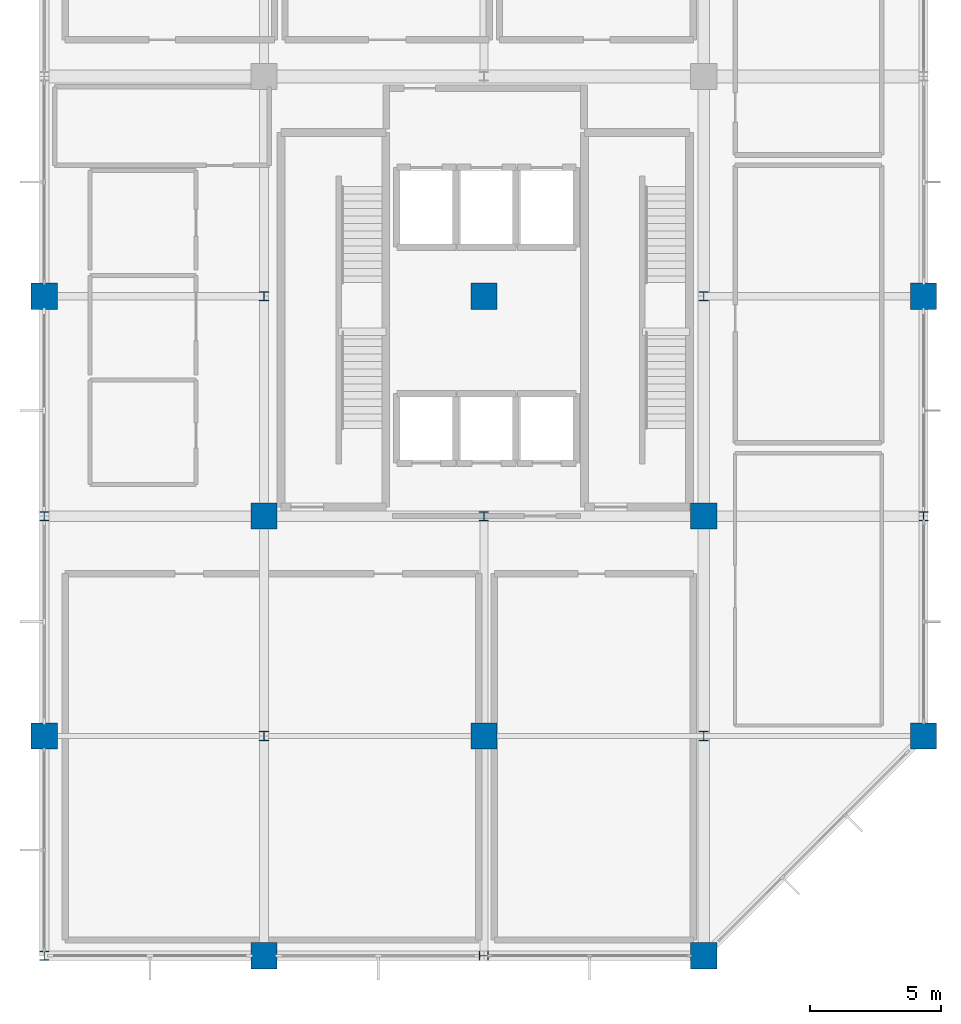
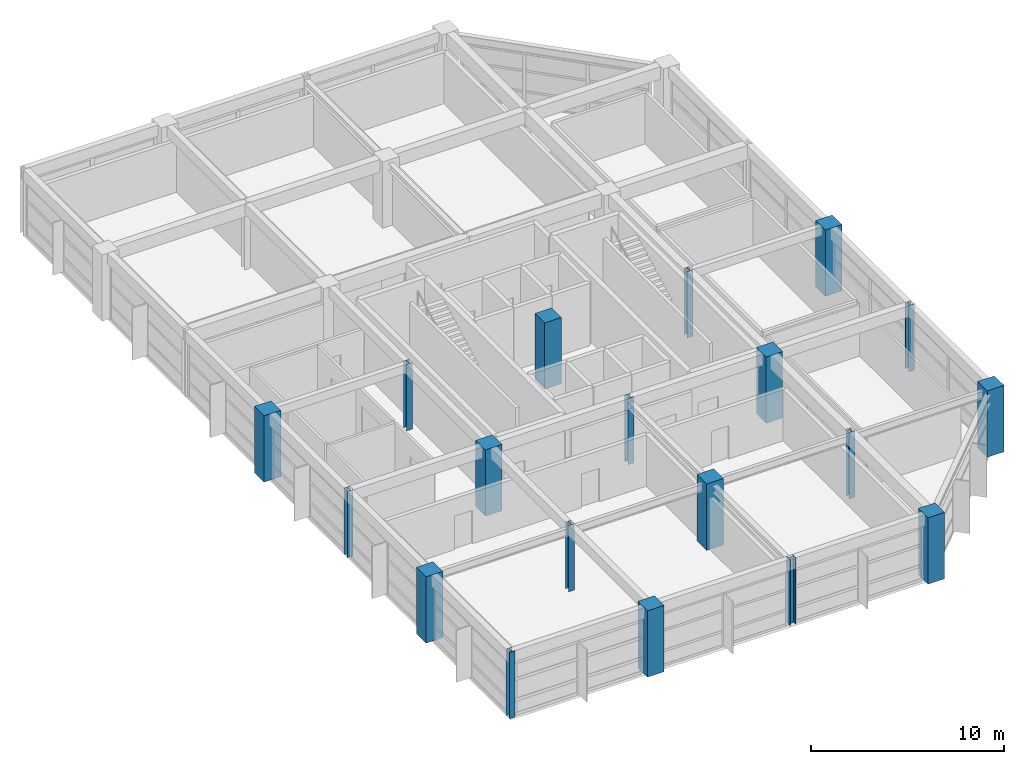
# One storey, part 1 of 16: 19 columns.
"""IFC4 building model written with IfcOpenShell, lengths in metres."""

import ifcopenshell
import ifcopenshell.guid

model = None  # the IFC model being written
_history = None  # IfcOwnerHistory: only IFC2X3 demands one
_inside = {}  # id of a spatial element -> (the spatial element, [elements in it])
_under = {}  # id of a project, library or spatial element -> (it, [spatial elements below it])
_declared = {}  # id of a project -> (the project, [libraries it declares])
_typed = {}  # id of a type object -> (the type object, [elements of that type])
_made_of = {}  # id of a material, layer set ... -> (it, [elements and type objects made of it])


def new_model(schema):
    """Start an empty IFC model of exactly this schema.

    Asked for "IFC4X3", IfcOpenShell would pick the latest addendum, in which some entities
    have other attributes; the version numbers below select the first issue.
    IFC2X3 requires an IfcOwnerHistory on every rooted entity: one is made here for all.
    """
    global model, _history
    if schema == "IFC4X3":
        model = ifcopenshell.file(schema_version=(4, 3, 0, 0))
    else:
        model = ifcopenshell.file(schema=schema)
    _inside.clear()
    _under.clear()
    _declared.clear()
    _typed.clear()
    _made_of.clear()
    _history = None
    if model.schema == "IFC2X3":
        org = make("IfcOrganization", Name="unknown")
        user = make(
            "IfcPersonAndOrganization",
            ThePerson=make("IfcPerson", FamilyName="unknown"),
            TheOrganization=org,
        )
        app = make(
            "IfcApplication",
            ApplicationDeveloper=org,
            Version="unknown",
            ApplicationFullName="unknown",
            ApplicationIdentifier="unknown",
        )
        _history = make(
            "IfcOwnerHistory",
            OwningUser=user,
            OwningApplication=app,
            ChangeAction="ADDED",
            CreationDate=0,
        )
    return model


def make(cls, **values):
    """One entity of the class cls with the attributes given. An attribute that is None is left unset."""
    return model.create_entity(
        cls, **{name: value for name, value in values.items() if value is not None}
    )


def rooted(cls, **values):
    """An entity with a GlobalId (a new one), such as an element, a storey or a relation."""
    return make(cls, GlobalId=ifcopenshell.guid.new(), OwnerHistory=_history, **values)


def si_unit(unit_type, name, prefix=None):
    """IfcSIUnit, for example si_unit("LENGTHUNIT", "METRE", prefix="MILLI")."""
    return make("IfcSIUnit", UnitType=unit_type, Prefix=prefix, Name=name)


def assignment(units):
    """IfcUnitAssignment: the units of a project."""
    return None if units is None else make("IfcUnitAssignment", Units=units)


def point(xyz):
    """IfcCartesianPoint."""
    return None if xyz is None else make("IfcCartesianPoint", Coordinates=xyz)


def direction(xyz):
    """IfcDirection."""
    return None if xyz is None else make("IfcDirection", DirectionRatios=xyz)


def frame(location, z_axis=None, x_axis=None):
    """IfcAxis2Placement3D, a coordinate frame: its origin and axes. An axis left out is left unset."""
    return make(
        "IfcAxis2Placement3D",
        Location=point(location),
        Axis=direction(z_axis),
        RefDirection=direction(x_axis),
    )


def frame_2d(location, x_axis=None):
    """IfcAxis2Placement2D, a coordinate frame in the plane: its origin and x axis."""
    return make(
        "IfcAxis2Placement2D", Location=point(location), RefDirection=direction(x_axis)
    )


def origin():
    """The frame at (0, 0, 0) with its axes left unset."""
    return frame((0.0, 0.0, 0.0))


def origin_2d():
    """The frame at (0, 0) in the plane with its x axis left unset."""
    return frame_2d((0.0, 0.0))


def place(relative_to, where):
    """IfcLocalPlacement: puts the frame where relative to a parent placement (None: the world)."""
    return make(
        "IfcLocalPlacement", PlacementRelTo=relative_to, RelativePlacement=where
    )


def context(
    kind, dimensions, precision=None, world=None, true_north=None, identifier=None
):
    """IfcGeometricRepresentationContext, for example the 3D "Model" context."""
    return make(
        "IfcGeometricRepresentationContext",
        ContextIdentifier=identifier,
        ContextType=kind,
        CoordinateSpaceDimension=dimensions,
        Precision=precision,
        WorldCoordinateSystem=world,
        TrueNorth=true_north,
    )


def subcontext(parent, identifier, kind, view, scale=None):
    """IfcGeometricRepresentationSubContext, for example "Body" below "Model"."""
    return make(
        "IfcGeometricRepresentationSubContext",
        ContextIdentifier=identifier,
        ContextType=kind,
        ParentContext=parent,
        TargetScale=scale,
        TargetView=view,
    )


def project(units=None, contexts=None):
    """IfcProject with its units and contexts."""
    return rooted(
        "IfcProject",
        Name="project",
        RepresentationContexts=contexts,
        UnitsInContext=assignment(units),
    )


def spatial(cls, under=None, at=None, **own):
    """A site, building, storey or space (cls), placed at a placement, below another one or the project."""
    s = rooted(cls, ObjectPlacement=at, **own)
    if under is not None:
        _under.setdefault(under.id(), (under, []))[1].append(s)
    return s


def profile(cls, at=None, kind="AREA", **sizes):
    """A parametric profile (cls). Its sizes go by their IFC names, for example OverallWidth=200.0."""
    return make(cls, ProfileType=kind, Position=at, **sizes)


def rectangle(**sizes):
    """IfcRectangleProfileDef."""
    return profile("IfcRectangleProfileDef", **sizes)


def i_section(**sizes):
    """IfcIShapeProfileDef."""
    return profile("IfcIShapeProfileDef", **sizes)


def extrude(swept, where, along, depth):
    """IfcExtrudedAreaSolid: the profile swept, set in the frame where, extruded along a direction by depth."""
    return make(
        "IfcExtrudedAreaSolid",
        SweptArea=swept,
        Position=where,
        ExtrudedDirection=direction(along),
        Depth=depth,
    )


def shape(context_of_items, identifier, shape_type, items):
    """IfcShapeRepresentation: the items that make up one representation, for example the "Body"."""
    return make(
        "IfcShapeRepresentation",
        ContextOfItems=context_of_items,
        RepresentationIdentifier=identifier,
        RepresentationType=shape_type,
        Items=items,
    )


def material(Name=None, Category=None):
    """IfcMaterial."""
    return make("IfcMaterial", Name=Name, Category=Category)


def material_profile(
    of_material, cross_section, Name=None, Category=None, Priority=None
):
    """IfcMaterialProfile: a cross section and its material."""
    return make(
        "IfcMaterialProfile",
        Name=Name,
        Material=of_material,
        Profile=cross_section,
        Priority=Priority,
        Category=Category,
    )


def profile_set(profiles, Name=None, composite=None):
    """IfcMaterialProfileSet."""
    return make(
        "IfcMaterialProfileSet",
        Name=Name,
        MaterialProfiles=profiles,
        CompositeProfile=composite,
    )


def made_of(thing, what):
    """Note that an element or type object is made of a material, layer set ...; save() writes the relation."""
    if what is not None:
        _made_of.setdefault(what.id(), (what, []))[1].append(thing)
    return thing


def type_object(cls, material=None, **own):
    """A type object (cls), such as IfcWallType, which elements share."""
    return made_of(rooted(cls, **own), material)


def element(
    cls,
    number,
    at=None,
    inside=None,
    cuts=None,
    type_object=None,
    material=None,
    context=None,
    identifier="Body",
    shape_type=None,
    held_by="IfcProductDefinitionShape",
    body=None,
    shapes=None,
    **own,
):
    """One element of the class cls, such as IfcWall. Its Tag is "e" and its number.

    at: its placement. inside: the storey or other place that contains it. cuts: it is an
    opening in that element (IfcRelVoidsElement). A single representation is given by context,
    identifier, shape_type and body (its items); several are given by shapes. held_by: the class
    of the entity that holds the representations. save() writes the other relations.
    """
    e = rooted(cls, Tag="e%d" % number, ObjectPlacement=at, **own)
    if body is not None:
        shapes = [shape(context, identifier, shape_type, body)]
    if shapes is not None:
        e.Representation = make(held_by, Representations=shapes)
    if inside is not None:
        _inside.setdefault(inside.id(), (inside, []))[1].append(e)
    if cuts is not None:
        rooted(
            "IfcRelVoidsElement", RelatingBuildingElement=cuts, RelatedOpeningElement=e
        )
    if type_object is not None:
        _typed.setdefault(type_object.id(), (type_object, []))[1].append(e)
    return made_of(e, material)


def aggregate(whole, parts):
    """IfcRelAggregates: a whole, such as a stair, and the parts it consists of."""
    return rooted("IfcRelAggregates", RelatingObject=whole, RelatedObjects=parts)


def save(model, path):
    """Write the relations noted so far, then the file.

    IfcRelAggregates (storeys below a building ...), IfcRelContainedInSpatialStructure (elements
    in a storey), IfcRelDefinesByType, IfcRelAssociatesMaterial and IfcRelDeclares: one each for
    every whole, place, type object, material and project.
    """
    for whole, parts in _under.values():
        aggregate(whole, parts)
    for where, things in _inside.values():
        rooted(
            "IfcRelContainedInSpatialStructure",
            RelatedElements=things,
            RelatingStructure=where,
        )
    for kind, things in _typed.values():
        rooted("IfcRelDefinesByType", RelatedObjects=things, RelatingType=kind)
    for what, things in _made_of.values():
        rooted("IfcRelAssociatesMaterial", RelatedObjects=things, RelatingMaterial=what)
    for by, libraries in _declared.values():
        rooted("IfcRelDeclares", RelatingContext=by, RelatedDefinitions=libraries)
    model.write(path)


model = new_model("IFC4")

# Units and contexts
model_context = context("Model", 3, precision=1e-05, world=origin(), true_north=direction((0.0, 1.0)))
body_context = subcontext(model_context, "Body", "Model", "MODEL_VIEW")
ifc_project = project(units=[si_unit("LENGTHUNIT", "METRE"), si_unit("AREAUNIT", "SQUARE_METRE"), si_unit("VOLUMEUNIT", "CUBIC_METRE"), si_unit("PLANEANGLEUNIT", "RADIAN"), si_unit("MASSUNIT", "GRAM", prefix="KILO")], contexts=[model_context])

# Site, building, storey
site_placement = place(None, origin())
site = spatial("IfcSite", under=ifc_project, at=site_placement, CompositionType="ELEMENT")
building_placement = place(site_placement, origin())
building = spatial("IfcBuilding", under=site, at=building_placement, Name="Xuanlan Plaza Opera House", CompositionType="ELEMENT")
storey_placement = place(building_placement, frame((0.0, 0.0, 48.89990234375)))
storey = spatial("IfcBuildingStorey", under=building, at=storey_placement, Name="L11", CompositionType="ELEMENT", Elevation=48.89990234375)

# Columns
ifc_material_1 = material(Name="Concrete C50", Category="concrete")
ifc_material_profile_1 = material_profile(ifc_material_1, rectangle(XDim=1.0, YDim=1.0, at=origin_2d()), Name="RC-COL 1000x1000")
ifc_profile_set_1 = profile_set([ifc_material_profile_1], Name="Concrete C50")
column_type_1 = type_object("IfcColumnType", Name="STR-COL-C-04", PredefinedType="COLUMN", material=ifc_profile_set_1)
for number, where, z_axis, x_axis, name in (
    (1, (126.0, 42.0, 0.0), (0.0, 0.0, 1.0), (1.0, 0.0, 0.0), "Column L11 16-F"),
    (2, (126.0, 58.800048828125, 0.0), (0.0, 0.0, 1.0), (1.0, 0.0, 0.0), "Column L11 16-H"),
    (3, (134.39990234375, 33.60009765625, 0.0), (0.0, 0.0, 1.0), (1.0, 0.0, 0.0), "Column L11 17-E"),
    (4, (134.39990234375, 50.39990234375, 0.0), (0.0, 0.0, 1.0), (1.0, 0.0, 0.0), "Column L11 17-G"),
    (5, (142.800048828125, 42.0, 0.0), (0.0, 0.0, 1.0), (1.0, 0.0, 0.0), "Column L11 18-F"),
    (6, (142.800048828125, 58.800048828125, 0.0), (0.0, 0.0, 1.0), (1.0, 0.0, 0.0), "Column L11 18-H"),
    (7, (151.199951171875, 33.60009765625, 0.0), (0.0, 0.0, 1.0), (1.0, 0.0, 0.0), "Column L11 19-E"),
    (8, (151.199951171875, 50.39990234375, 0.0), (0.0, 0.0, 1.0), (1.0, 0.0, 0.0), "Column L11 19-G"),
    (9, (159.60009765625, 42.0, 0.0), (0.0, 0.0, 1.0), (1.0, 0.0, 0.0), "Column L11 20-F"),
    (10, (159.60009765625, 58.800048828125, 0.0), (0.0, 0.0, 1.0), (1.0, 0.0, 0.0), "Column L11 20-H"),
):
    element("IfcColumn", number, at=place(storey_placement, frame(where, z_axis=z_axis, x_axis=x_axis)), inside=storey, type_object=column_type_1, Name=name, PredefinedType="COLUMN", context=body_context, shape_type="SweptSolid", body=[
        extrude(rectangle(XDim=1.0, YDim=1.0, at=origin_2d()), origin(), (0.0, 0.0, 1.0), 4.2001953125),
    ])
ifc_material_2 = material(Name="Steel Q355B", Category="steel")
ifc_material_profile_2 = material_profile(ifc_material_2, i_section(OverallWidth=0.35009765625, OverallDepth=0.35009765625, WebThickness=0.011962890625, FlangeThickness=0.01904296875, FilletRadius=0.02001953125, at=origin_2d()), Name="HW 350x350x12x19")
ifc_profile_set_2 = profile_set([ifc_material_profile_2], Name="Steel Q355B")
column_type_2 = type_object("IfcColumnType", Name="STR-COL-C-15", PredefinedType="COLUMN", material=ifc_profile_set_2)
for number, where, z_axis, x_axis, name in (
    (11, (126.0, 33.60009765625, 0.0), (0.0, 0.0, 1.0), (1.0, 0.0, 0.0), "Column L11 16-E"),
    (12, (126.0, 50.39990234375, 0.0), (0.0, 0.0, 1.0), (1.0, 0.0, 0.0), "Column L11 16-G"),
    (13, (134.39990234375, 42.0, 0.0), (0.0, 0.0, 1.0), (1.0, 0.0, 0.0), "Column L11 17-F"),
    (14, (134.39990234375, 58.800048828125, 0.0), (0.0, 0.0, 1.0), (1.0, 0.0, 0.0), "Column L11 17-H"),
    (15, (142.800048828125, 33.60009765625, 0.0), (0.0, 0.0, 1.0), (0.0, 1.0, 0.0), "Column L11 18-E"),
    (16, (142.800048828125, 50.39990234375, 0.0), (0.0, 0.0, 1.0), (1.0, 0.0, 0.0), "Column L11 18-G"),
    (17, (151.199951171875, 42.0, 0.0), (0.0, 0.0, 1.0), (1.0, 0.0, 0.0), "Column L11 19-F"),
    (18, (151.199951171875, 58.800048828125, 0.0), (0.0, 0.0, 1.0), (1.0, 0.0, 0.0), "Column L11 19-H"),
    (19, (159.60009765625, 50.39990234375, 0.0), (0.0, 0.0, 1.0), (1.0, 0.0, 0.0), "Column L11 20-G"),
):
    element("IfcColumn", number, at=place(storey_placement, frame(where, z_axis=z_axis, x_axis=x_axis)), inside=storey, type_object=column_type_2, Name=name, PredefinedType="COLUMN", context=body_context, shape_type="SweptSolid", body=[
        extrude(i_section(OverallWidth=0.35009765625, OverallDepth=0.35009765625, WebThickness=0.011962890625, FlangeThickness=0.01904296875, FilletRadius=0.02001953125, at=origin_2d()), origin(), (0.0, 0.0, 1.0), 4.2001953125),
    ])

save(model, "model.ifc")
